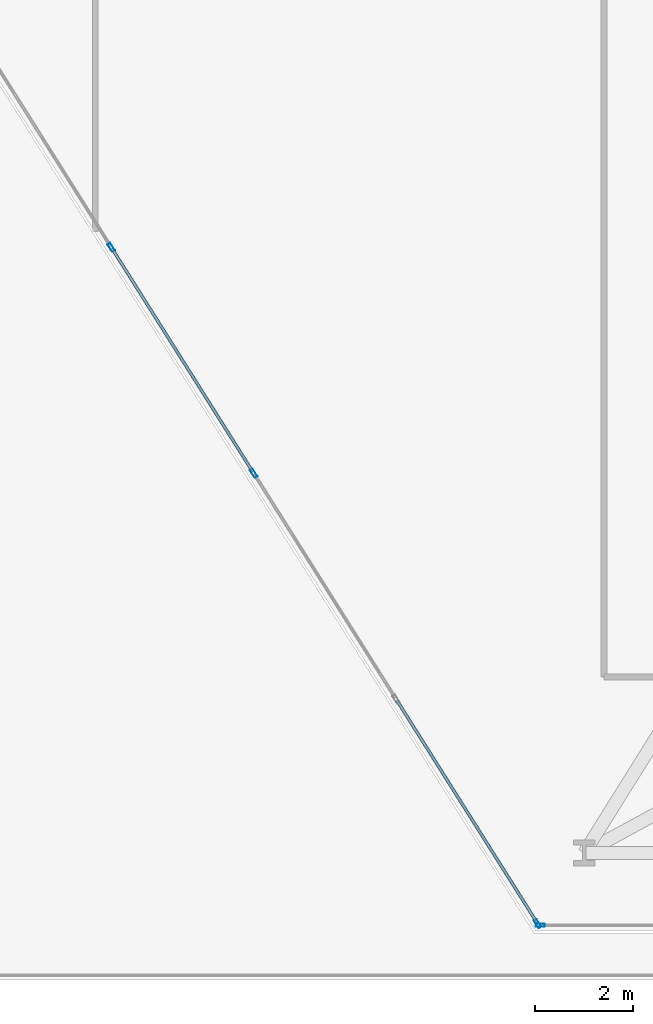
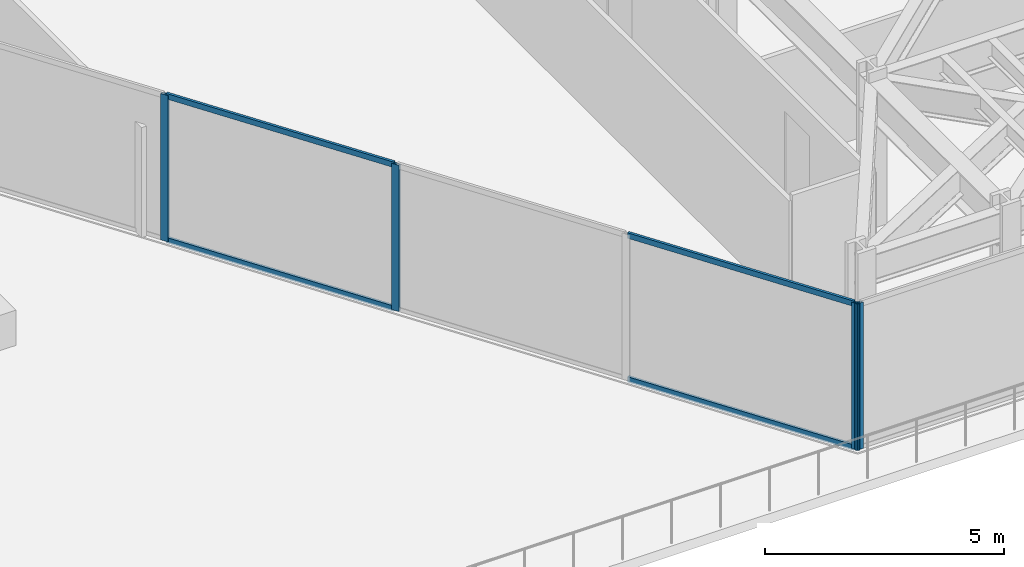
# One storey, part 7 of 25: 8 members, 2 elements without a shape of their own.
"""IFC4 building model written with IfcOpenShell, lengths in metres."""

from ifc_helpers import new_model, si_unit, direction, frame, origin, origin_2d, place, context, subcontext, project, spatial, hollow_rectangle, extrude, material, layer, layer_set, material_profile, profile_set, type_object, element, aggregate, save


model = new_model("IFC4")

# Units and contexts
model_context = context("Model", 3, precision=1e-05, world=origin(), true_north=direction((0.0, 1.0)))
body_context = subcontext(model_context, "Body", "Model", "MODEL_VIEW")
ifc_project = project(units=[si_unit("LENGTHUNIT", "METRE"), si_unit("AREAUNIT", "SQUARE_METRE"), si_unit("VOLUMEUNIT", "CUBIC_METRE"), si_unit("PLANEANGLEUNIT", "RADIAN"), si_unit("MASSUNIT", "GRAM", prefix="KILO")], contexts=[model_context])

# Site, building, storey
site_placement = place(None, origin())
site = spatial("IfcSite", under=ifc_project, at=site_placement, CompositionType="ELEMENT")
building_placement = place(site_placement, origin())
building = spatial("IfcBuilding", under=site, at=building_placement, Name="Kravanh Interchange Tower", CompositionType="ELEMENT")
storey_placement = place(building_placement, frame((0.0, 0.0, 29.5)))
storey = spatial("IfcBuildingStorey", under=building, at=storey_placement, Name="L06", CompositionType="ELEMENT", Elevation=29.5)

# Curtain wall, member
ifc_material_1 = material(Name="Anodised Bronze Aluminium", Category="aluminium")
ifc_layer = layer(ifc_material_1, 0.179931640625)
ifc_layer_set = layer_set([ifc_layer], Name="Unitised Curtain Wall System CW-Z1 Lower Office")
curtain_wall_type = type_object("IfcCurtainWallType", Name="Unitised Curtain Wall System CW-Z1 Lower Office", PredefinedType="NOTDEFINED", material=ifc_layer_set)
curtain_wall_1_placement = place(storey_placement, origin())
curtain_wall_1 = element("IfcCurtainWall", 1, at=curtain_wall_1_placement, inside=storey, type_object=curtain_wall_type, Name="L06 Unitised Curtain Wall CW-L06-03", PredefinedType="NOTDEFINED")
ifc_material_2 = material(Name="Anodised Bronze Aluminium", Category="aluminium")
ifc_material_profile_1 = material_profile(ifc_material_2, hollow_rectangle(XDim=0.070068359375, YDim=0.179931640625, WallThickness=0.00390625, at=origin_2d()), Name="ALU70X180X4")
ifc_profile_set_1 = profile_set([ifc_material_profile_1], Name="Anodised Bronze Aluminium")
member_type_1 = type_object("IfcMemberType", Name="Curtain Wall Mullion ALU70X180X4 Bronze", PredefinedType="MULLION", material=ifc_profile_set_1)
member_1_placement = place(storey_placement, frame((51.601318359375, 1.1201171875, 0.0), z_axis=(0.0, 0.0, 1.0), x_axis=(0.0, -1.0, 0.0)))
member_1 = element("IfcMember", 2, at=member_1_placement, type_object=member_type_1, Name="CW-Z1 mullion 3", PredefinedType="MULLION", context=body_context, shape_type="SweptSolid", body=[
    extrude(hollow_rectangle(XDim=0.070068359375, YDim=0.179931640625, WallThickness=0.00390625, at=origin_2d()), origin(), (0.0, 0.0, 1.0), 3.739990234375),
])
aggregate(curtain_wall_1, [member_1])

# Curtain wall, members
curtain_wall_2_placement = place(storey_placement, origin())
curtain_wall_2 = element("IfcCurtainWall", 3, at=curtain_wall_2_placement, inside=storey, type_object=curtain_wall_type, Name="L06 Unitised Curtain Wall CW-L06-04", PredefinedType="NOTDEFINED")
member_2_placement = place(storey_placement, frame((51.547607421875, 1.149658203125, 0.0), z_axis=(0.0, 0.0, 1.0), x_axis=(-0.845925530786, -0.53330103728, 0.0)))
member_2 = element("IfcMember", 4, at=member_2_placement, type_object=member_type_1, Name="CW-Z1 mullion 1", PredefinedType="MULLION", context=body_context, shape_type="SweptSolid", body=[
    extrude(hollow_rectangle(XDim=0.070068359375, YDim=0.179931640625, WallThickness=0.00390625, at=origin_2d()), origin(), (0.0, 0.0, 1.0), 3.739990234375),
])
member_3_placement = place(storey_placement, frame((45.73974609375, 10.362060546875, 0.0), z_axis=(0.0, 0.0, 1.0), x_axis=(-0.845925530786, -0.53330103728, 0.0)))
member_3 = element("IfcMember", 5, at=member_3_placement, type_object=member_type_1, Name="CW-Z1 mullion 3", PredefinedType="MULLION", context=body_context, shape_type="SweptSolid", body=[
    extrude(hollow_rectangle(XDim=0.070068359375, YDim=0.179931640625, WallThickness=0.00390625, at=origin_2d()), origin(), (0.0, 0.0, 1.0), 3.739990234375),
])
member_4_placement = place(storey_placement, frame((42.826416015625, 14.98291015625, 0.0), z_axis=(0.0, 0.0, 1.0), x_axis=(-0.845925530786, -0.53330103728, 0.0)))
member_4 = element("IfcMember", 6, at=member_4_placement, type_object=member_type_1, Name="CW-Z1 mullion 4", PredefinedType="MULLION", context=body_context, shape_type="SweptSolid", body=[
    extrude(hollow_rectangle(XDim=0.070068359375, YDim=0.179931640625, WallThickness=0.00390625, at=origin_2d()), origin(), (0.0, 0.0, 1.0), 3.739990234375),
])
ifc_material_3 = material(Name="Anodised Bronze Aluminium", Category="aluminium")
ifc_material_profile_2 = material_profile(ifc_material_3, hollow_rectangle(XDim=0.06005859375, YDim=0.139892578125, WallThickness=0.00390625, at=origin_2d()), Name="ALU60X140X4")
ifc_profile_set_2 = profile_set([ifc_material_profile_2], Name="Anodised Bronze Aluminium")
member_type_2 = type_object("IfcMemberType", Name="Curtain Wall Transom ALU60X140X4 Bronze", PredefinedType="USERDEFINED", material=ifc_profile_set_2)
member_5_placement = place(storey_placement, frame((51.52880859375, 1.17919921875, 0.030029296875), z_axis=(-0.533288163518, 0.845933646719, 0.0), x_axis=(-0.845933646719, -0.533288163518, 0.0)))
member_5 = element("IfcMember", 7, at=member_5_placement, type_object=member_type_2, Name="CW-Z1 transom 1.1", ObjectType="TRANSOM", PredefinedType="USERDEFINED", context=body_context, shape_type="SweptSolid", body=[
    extrude(hollow_rectangle(XDim=0.06005859375, YDim=0.139892578125, WallThickness=0.00390625, at=origin_2d()), origin(), (0.0, 0.0, 1.0), 5.357666015625),
])
member_6_placement = place(storey_placement, frame((51.52880859375, 1.17919921875, 3.7099609375), z_axis=(-0.533288163518, 0.845933646719, 0.0), x_axis=(-0.845933646719, -0.533288163518, 0.0)))
member_6 = element("IfcMember", 8, at=member_6_placement, type_object=member_type_2, Name="CW-Z1 transom 1.2", ObjectType="TRANSOM", PredefinedType="USERDEFINED", context=body_context, shape_type="SweptSolid", body=[
    extrude(hollow_rectangle(XDim=0.06005859375, YDim=0.139892578125, WallThickness=0.00390625, at=origin_2d()), origin(), (0.0, 0.0, 1.0), 5.357666015625),
])
member_7_placement = place(storey_placement, frame((45.720947265625, 10.3916015625, 0.030029296875), z_axis=(-0.533279090152, 0.845939366626, 0.0), x_axis=(-0.845939366626, -0.533279090152, 0.0)))
member_7 = element("IfcMember", 9, at=member_7_placement, type_object=member_type_2, Name="CW-Z1 transom 3.1", ObjectType="TRANSOM", PredefinedType="USERDEFINED", context=body_context, shape_type="SweptSolid", body=[
    extrude(hollow_rectangle(XDim=0.06005859375, YDim=0.139892578125, WallThickness=0.00390625, at=origin_2d()), origin(), (0.0, 0.0, 1.0), 5.392578125),
])
member_8_placement = place(storey_placement, frame((45.720947265625, 10.3916015625, 3.7099609375), z_axis=(-0.533279090152, 0.845939366626, 0.0), x_axis=(-0.845939366626, -0.533279090152, 0.0)))
member_8 = element("IfcMember", 10, at=member_8_placement, type_object=member_type_2, Name="CW-Z1 transom 3.2", ObjectType="TRANSOM", PredefinedType="USERDEFINED", context=body_context, shape_type="SweptSolid", body=[
    extrude(hollow_rectangle(XDim=0.06005859375, YDim=0.139892578125, WallThickness=0.00390625, at=origin_2d()), origin(), (0.0, 0.0, 1.0), 5.392578125),
])
aggregate(curtain_wall_2, [member_2, member_3, member_4, member_5, member_6, member_7, member_8])

save(model, "model.ifc")
